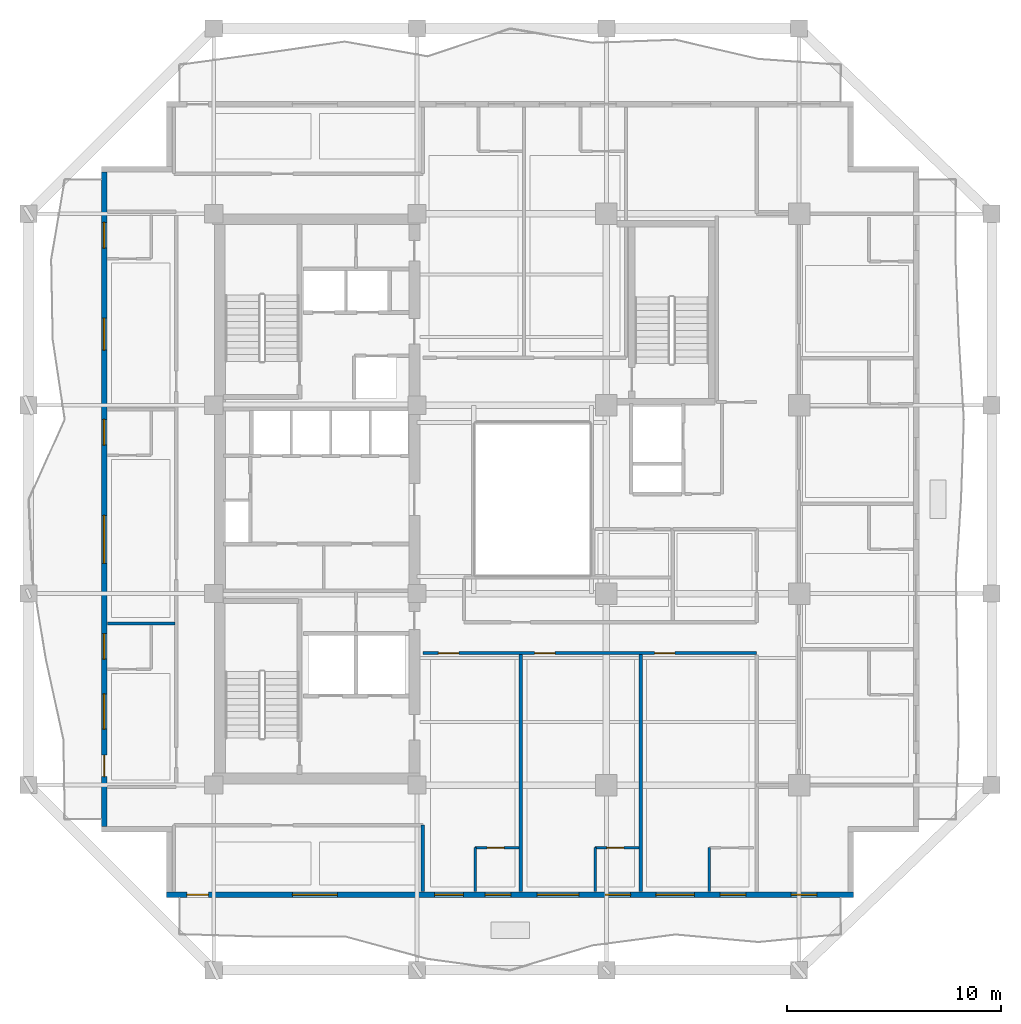
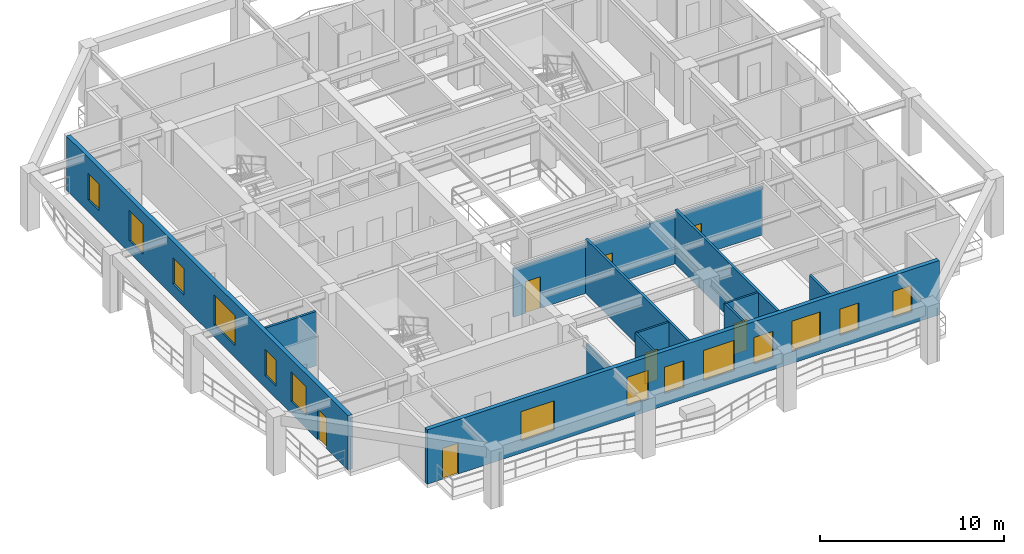
# One storey, part 3 of 11: 14 windows, 12 walls, 7 doors, 21 openings.
"""IFC4 building model written with IfcOpenShell, lengths in metres."""

from ifc_helpers import new_model, si_unit, direction, frame, frame_2d, origin, place, context, subcontext, project, spatial, rectangle, extrude, material, layer, layer_set, type_object, element, fill, save


model = new_model("IFC4")

# Units and contexts
model_context = context("Model", 3, precision=1e-05, world=origin(), true_north=direction((0.0, 1.0)))
body_context = subcontext(model_context, "Body", "Model", "MODEL_VIEW")
ifc_project = project(units=[si_unit("LENGTHUNIT", "METRE"), si_unit("AREAUNIT", "SQUARE_METRE"), si_unit("VOLUMEUNIT", "CUBIC_METRE"), si_unit("PLANEANGLEUNIT", "RADIAN"), si_unit("MASSUNIT", "GRAM", prefix="KILO")], contexts=[model_context])

# Site, building, storey
site_placement = place(None, origin())
site = spatial("IfcSite", under=ifc_project, at=site_placement, CompositionType="ELEMENT")
building_placement = place(site_placement, origin())
building = spatial("IfcBuilding", under=site, at=building_placement, Name="Kundavana Baori Tower", CompositionType="ELEMENT")
storey_placement = place(building_placement, frame((0.0, 0.0, 130.949951171875)))
storey = spatial("IfcBuildingStorey", under=building, at=storey_placement, Name="L31", CompositionType="ELEMENT", Elevation=130.949951171875)

# Wall, openings, door, windows
ifc_material_1 = material(Name="Kiln-Fired Terracotta Brick-Slip Masonry on Concrete C40/50", Category="masonry")
ifc_layer_1 = layer(ifc_material_1, 0.260009765625, Name="WL-EXT-BRK-260")
ifc_layer_set_1 = layer_set([ifc_layer_1], Name="Kiln-Fired Terracotta Brick-Slip Masonry on Concrete C40/50")
wall_type_1 = type_object("IfcWallType", Name="WL-EXT-BRK-260", PredefinedType="SOLIDWALL", material=ifc_layer_set_1)
wall_1_placement = place(storey_placement, frame((13.25, 10.1298828125, 0.0), z_axis=(0.0, 0.0, 1.0), x_axis=(1.0, 0.0, 0.0)))
wall_1 = element("IfcWall", 1, at=wall_1_placement, inside=storey, type_object=wall_type_1, Name="L31 Exterior Insulated Facade Wall 01", PredefinedType="SOLIDWALL", context=body_context, shape_type="SweptSolid", body=[
    extrude(rectangle(XDim=32.10009765625, YDim=0.260009765625, at=frame_2d((16.050048828125, 0.0))), origin(), (0.0, 0.0, 1.0), 3.60009765625),
])
opening_1_placement = place(wall_1_placement, frame((0.949951171875, 0.0, 0.0)))
opening_1 = element("IfcOpeningElement", 2, at=opening_1_placement, cuts=wall_1, Name="Opening BD-1", PredefinedType="OPENING", context=body_context, shape_type="SweptSolid", body=[
    extrude(rectangle(XDim=1.0, YDim=2.050048828125, at=frame_2d((0.5, 1.02490234375))), frame((0.0, 0.14013671875, 0.0), z_axis=(0.0, -1.0, 0.0), x_axis=(1.0, 0.0, 0.0)), (0.0, 0.0, 1.0), 0.280029296875),
])
opening_2_placement = place(wall_1_placement, frame((5.8798828125, 0.0, 0.800048828125)))
opening_2 = element("IfcOpeningElement", 3, at=opening_2_placement, cuts=wall_1, Name="Opening W-05", PredefinedType="OPENING", context=body_context, shape_type="SweptSolid", body=[
    extrude(rectangle(XDim=2.10009765625, YDim=1.949951171875, at=frame_2d((1.050048828125, 0.97509765625))), frame((0.0, 0.14013671875, 0.0), z_axis=(0.0, -1.0, 0.0), x_axis=(1.0, 0.0, 0.0)), (0.0, 0.0, 1.0), 0.280029296875),
])
opening_3_placement = place(wall_1_placement, frame((12.52001953125, 0.0, 0.800048828125)))
opening_3 = element("IfcOpeningElement", 4, at=opening_3_placement, cuts=wall_1, Name="Opening W-07", PredefinedType="OPENING", context=body_context, shape_type="SweptSolid", body=[
    extrude(rectangle(XDim=1.35009765625, YDim=1.89990234375, at=frame_2d((0.675048828125, 0.949951171875))), frame((0.0, 0.14013671875, 0.0), z_axis=(0.0, -1.0, 0.0), x_axis=(1.0, 0.0, 0.0)), (0.0, 0.0, 1.0), 0.280029296875),
])
opening_4_placement = place(wall_1_placement, frame((14.885009765625, 0.0, 0.800048828125)))
opening_4 = element("IfcOpeningElement", 5, at=opening_4_placement, cuts=wall_1, Name="Opening W-03", PredefinedType="OPENING", context=body_context, shape_type="SweptSolid", body=[
    extrude(rectangle(XDim=1.199951171875, YDim=1.75, at=frame_2d((0.60009765625, 0.875))), frame((0.0, 0.14013671875, 0.0), z_axis=(0.0, -1.0, 0.0), x_axis=(1.0, 0.0, 0.0)), (0.0, 0.0, 1.0), 0.280029296875),
])
opening_5_placement = place(wall_1_placement, frame((17.31005859375, 0.0, 0.800048828125)))
opening_5 = element("IfcOpeningElement", 6, at=opening_5_placement, cuts=wall_1, Name="Opening W-09", PredefinedType="OPENING", context=body_context, shape_type="SweptSolid", body=[
    extrude(rectangle(XDim=1.949951171875, YDim=2.0, at=frame_2d((0.97509765625, 1.0))), frame((0.0, 0.14013671875, 0.0), z_axis=(0.0, -1.0, 0.0), x_axis=(1.0, 0.0, 0.0)), (0.0, 0.0, 1.0), 0.280029296875),
])
opening_6_placement = place(wall_1_placement, frame((20.485107421875, 0.0, 0.800048828125)))
opening_6 = element("IfcOpeningElement", 7, at=opening_6_placement, cuts=wall_1, Name="Opening W-03", PredefinedType="OPENING", context=body_context, shape_type="SweptSolid", body=[
    extrude(rectangle(XDim=1.199951171875, YDim=1.75, at=frame_2d((0.60009765625, 0.875))), frame((0.0, 0.14013671875, 0.0), z_axis=(0.0, -1.0, 0.0), x_axis=(1.0, 0.0, 0.0)), (0.0, 0.0, 1.0), 0.280029296875),
])
opening_7_placement = place(wall_1_placement, frame((22.85498046875, 0.0, 0.800048828125)))
opening_7 = element("IfcOpeningElement", 8, at=opening_7_placement, cuts=wall_1, Name="Opening W-01", PredefinedType="OPENING", context=body_context, shape_type="SweptSolid", body=[
    extrude(rectangle(XDim=1.800048828125, YDim=2.0, at=frame_2d((0.89990234375, 1.0))), frame((0.0, 0.14013671875, 0.0), z_axis=(0.0, -1.0, 0.0), x_axis=(1.0, 0.0, 0.0)), (0.0, 0.0, 1.0), 0.280029296875),
])
opening_8_placement = place(wall_1_placement, frame((25.864990234375, 0.0, 0.800048828125)))
opening_8 = element("IfcOpeningElement", 9, at=opening_8_placement, cuts=wall_1, Name="Opening W-03", PredefinedType="OPENING", context=body_context, shape_type="SweptSolid", body=[
    extrude(rectangle(XDim=1.199951171875, YDim=1.75, at=frame_2d((0.60009765625, 0.875))), frame((0.0, 0.14013671875, 0.0), z_axis=(0.0, -1.0, 0.0), x_axis=(1.0, 0.0, 0.0)), (0.0, 0.0, 1.0), 0.280029296875),
])
opening_9_placement = place(wall_1_placement, frame((29.179931640625, 0.0, 0.800048828125)))
opening_9 = element("IfcOpeningElement", 10, at=opening_9_placement, cuts=wall_1, Name="Opening W-03", PredefinedType="OPENING", context=body_context, shape_type="SweptSolid", body=[
    extrude(rectangle(XDim=1.199951171875, YDim=1.75, at=frame_2d((0.60009765625, 0.875))), frame((0.0, 0.14013671875, 0.0), z_axis=(0.0, -1.0, 0.0), x_axis=(1.0, 0.0, 0.0)), (0.0, 0.0, 1.0), 0.280029296875),
])
ifc_material_2 = material(Name="Architectural Patinated Bronze Metalwork")
door_type_1 = type_object("IfcDoorType", Name="DR-EXT-LOG-1000", OperationType="NOTDEFINED", PredefinedType="DOOR", material=ifc_material_2)
door_1_placement = place(opening_1_placement, frame((1.0, 0.0, 0.0), z_axis=(0.0, 0.0, 1.0), x_axis=(-1.0, 0.0, 0.0)))
door_1 = element("IfcDoor", 11, at=door_1_placement, inside=storey, type_object=door_type_1, Name="L31 Loggia Balcony Access Door S", OperationType="SINGLE_SWING_LEFT", OverallHeight=2.050048828125, OverallWidth=1.0, PredefinedType="DOOR", context=body_context, shape_type="SweptSolid", body=[
    extrude(rectangle(XDim=1.0, YDim=2.050048828125, at=frame_2d((0.5, 1.02490234375))), frame((0.0, 0.02490234375, 0.0), z_axis=(0.0, -1.0, 0.0), x_axis=(1.0, 0.0, 0.0)), (0.0, 0.0, 1.0), 0.050048828125),
])
fill(opening_1, door_1)
ifc_material_3 = material(Name="Double-Glazed Solar-Control Low-E Insulated Glass", Category="glass")
window_type_1 = type_object("IfcWindowType", Name="WIN-LOG-1200x1750", PartitioningType="SINGLE_PANEL", PredefinedType="WINDOW", material=ifc_material_3)
window_1_placement = place(opening_4_placement, origin())
window_1 = element("IfcWindow", 12, at=window_1_placement, inside=storey, type_object=window_type_1, Name="L31 Recessed Loggia Window S-3", OverallHeight=1.75, OverallWidth=1.199951171875, PartitioningType="SINGLE_PANEL", PredefinedType="WINDOW", context=body_context, shape_type="SweptSolid", body=[
    extrude(rectangle(XDim=1.199951171875, YDim=1.75, at=frame_2d((0.60009765625, 0.875))), frame((0.0, 0.030029296875, 0.0), z_axis=(0.0, -1.0, 0.0), x_axis=(1.0, 0.0, 0.0)), (0.0, 0.0, 1.0), 0.06005859375),
])
fill(opening_4, window_1)
window_2_placement = place(opening_6_placement, origin())
window_2 = element("IfcWindow", 13, at=window_2_placement, inside=storey, type_object=window_type_1, Name="L31 Recessed Loggia Window S-5", OverallHeight=1.75, OverallWidth=1.199951171875, PartitioningType="SINGLE_PANEL", PredefinedType="WINDOW", context=body_context, shape_type="SweptSolid", body=[
    extrude(rectangle(XDim=1.199951171875, YDim=1.75, at=frame_2d((0.60009765625, 0.875))), frame((0.0, 0.030029296875, 0.0), z_axis=(0.0, -1.0, 0.0), x_axis=(1.0, 0.0, 0.0)), (0.0, 0.0, 1.0), 0.06005859375),
])
fill(opening_6, window_2)
window_3_placement = place(opening_8_placement, origin())
window_3 = element("IfcWindow", 14, at=window_3_placement, inside=storey, type_object=window_type_1, Name="L31 Recessed Loggia Window S-7", OverallHeight=1.75, OverallWidth=1.199951171875, PartitioningType="SINGLE_PANEL", PredefinedType="WINDOW", context=body_context, shape_type="SweptSolid", body=[
    extrude(rectangle(XDim=1.199951171875, YDim=1.75, at=frame_2d((0.60009765625, 0.875))), frame((0.0, 0.030029296875, 0.0), z_axis=(0.0, -1.0, 0.0), x_axis=(1.0, 0.0, 0.0)), (0.0, 0.0, 1.0), 0.06005859375),
])
fill(opening_8, window_3)
window_4_placement = place(opening_9_placement, origin())
window_4 = element("IfcWindow", 15, at=window_4_placement, inside=storey, type_object=window_type_1, Name="L31 Recessed Loggia Window S-8", OverallHeight=1.75, OverallWidth=1.199951171875, PartitioningType="SINGLE_PANEL", PredefinedType="WINDOW", context=body_context, shape_type="SweptSolid", body=[
    extrude(rectangle(XDim=1.199951171875, YDim=1.75, at=frame_2d((0.60009765625, 0.875))), frame((0.0, 0.030029296875, 0.0), z_axis=(0.0, -1.0, 0.0), x_axis=(1.0, 0.0, 0.0)), (0.0, 0.0, 1.0), 0.06005859375),
])
fill(opening_9, window_4)
ifc_material_4 = material(Name="Double-Glazed Solar-Control Low-E Insulated Glass", Category="glass")
window_type_2 = type_object("IfcWindowType", Name="WIN-LOG-1350x1900", PartitioningType="SINGLE_PANEL", PredefinedType="WINDOW", material=ifc_material_4)
window_5_placement = place(opening_3_placement, origin())
window_5 = element("IfcWindow", 16, at=window_5_placement, inside=storey, type_object=window_type_2, Name="L31 Recessed Loggia Window S-2", OverallHeight=1.89990234375, OverallWidth=1.35009765625, PartitioningType="SINGLE_PANEL", PredefinedType="WINDOW", context=body_context, shape_type="SweptSolid", body=[
    extrude(rectangle(XDim=1.35009765625, YDim=1.89990234375, at=frame_2d((0.675048828125, 0.949951171875))), frame((0.0, 0.030029296875, 0.0), z_axis=(0.0, -1.0, 0.0), x_axis=(1.0, 0.0, 0.0)), (0.0, 0.0, 1.0), 0.06005859375),
])
fill(opening_3, window_5)
ifc_material_5 = material(Name="Double-Glazed Solar-Control Low-E Insulated Glass", Category="glass")
window_type_3 = type_object("IfcWindowType", Name="WIN-LOG-1800x2000", PartitioningType="SINGLE_PANEL", PredefinedType="WINDOW", material=ifc_material_5)
window_6_placement = place(opening_7_placement, origin())
window_6 = element("IfcWindow", 17, at=window_6_placement, inside=storey, type_object=window_type_3, Name="L31 Recessed Loggia Window S-6", OverallHeight=2.0, OverallWidth=1.800048828125, PartitioningType="SINGLE_PANEL", PredefinedType="WINDOW", context=body_context, shape_type="SweptSolid", body=[
    extrude(rectangle(XDim=1.800048828125, YDim=2.0, at=frame_2d((0.89990234375, 1.0))), frame((0.0, 0.030029296875, 0.0), z_axis=(0.0, -1.0, 0.0), x_axis=(1.0, 0.0, 0.0)), (0.0, 0.0, 1.0), 0.06005859375),
])
fill(opening_7, window_6)
ifc_material_6 = material(Name="Double-Glazed Solar-Control Low-E Insulated Glass", Category="glass")
window_type_4 = type_object("IfcWindowType", Name="WIN-LOG-1950x2000", PartitioningType="SINGLE_PANEL", PredefinedType="WINDOW", material=ifc_material_6)
window_7_placement = place(opening_5_placement, origin())
window_7 = element("IfcWindow", 18, at=window_7_placement, inside=storey, type_object=window_type_4, Name="L31 Recessed Loggia Window S-4", OverallHeight=2.0, OverallWidth=1.949951171875, PartitioningType="SINGLE_PANEL", PredefinedType="WINDOW", context=body_context, shape_type="SweptSolid", body=[
    extrude(rectangle(XDim=1.949951171875, YDim=2.0, at=frame_2d((0.97509765625, 1.0))), frame((0.0, 0.030029296875, 0.0), z_axis=(0.0, -1.0, 0.0), x_axis=(1.0, 0.0, 0.0)), (0.0, 0.0, 1.0), 0.06005859375),
])
fill(opening_5, window_7)
ifc_material_7 = material(Name="Double-Glazed Solar-Control Low-E Insulated Glass", Category="glass")
window_type_5 = type_object("IfcWindowType", Name="WIN-LOG-2100x1950", PartitioningType="SINGLE_PANEL", PredefinedType="WINDOW", material=ifc_material_7)
window_8_placement = place(opening_2_placement, origin())
window_8 = element("IfcWindow", 19, at=window_8_placement, inside=storey, type_object=window_type_5, Name="L31 Recessed Loggia Window S-1", OverallHeight=1.949951171875, OverallWidth=2.10009765625, PartitioningType="SINGLE_PANEL", PredefinedType="WINDOW", context=body_context, shape_type="SweptSolid", body=[
    extrude(rectangle(XDim=2.10009765625, YDim=1.949951171875, at=frame_2d((1.050048828125, 0.97509765625))), frame((0.0, 0.030029296875, 0.0), z_axis=(0.0, -1.0, 0.0), x_axis=(1.0, 0.0, 0.0)), (0.0, 0.0, 1.0), 0.06005859375),
])
fill(opening_2, window_8)

wall_2_placement = place(storey_placement, frame((10.330078125, 43.889892578125, 0.0), z_axis=(0.0, 0.0, 1.0), x_axis=(0.0, -1.0, 0.0)))
wall_2 = element("IfcWall", 20, at=wall_2_placement, inside=storey, type_object=wall_type_1, Name="L31 Exterior Insulated Facade Wall 10", PredefinedType="SOLIDWALL", context=body_context, shape_type="SweptSolid", body=[
    extrude(rectangle(XDim=30.579833984375, YDim=0.260009765625, at=frame_2d((15.2900390625, 0.0))), origin(), (0.0, 0.0, 1.0), 3.60009765625),
])
opening_10_placement = place(wall_2_placement, frame((27.239990234375, 0.0, 0.0)))
opening_10 = element("IfcOpeningElement", 21, at=opening_10_placement, cuts=wall_2, Name="Opening BD-1", PredefinedType="OPENING", context=body_context, shape_type="SweptSolid", body=[
    extrude(rectangle(XDim=1.0, YDim=2.050048828125, at=frame_2d((0.5, 1.02490234375))), frame((0.0, 0.14013671875, 0.0), z_axis=(0.0, -1.0, 0.0), x_axis=(1.0, 0.0, 0.0)), (0.0, 0.0, 1.0), 0.280029296875),
])
opening_11_placement = place(wall_2_placement, frame((24.375, 0.0, 0.800048828125)))
opening_11 = element("IfcOpeningElement", 22, at=opening_11_placement, cuts=wall_2, Name="Opening W-08", PredefinedType="OPENING", context=body_context, shape_type="SweptSolid", body=[
    extrude(rectangle(XDim=1.64990234375, YDim=1.949951171875, at=frame_2d((0.824951171875, 0.97509765625))), frame((0.0, 0.14013671875, 0.0), z_axis=(0.0, -1.0, 0.0), x_axis=(1.0, 0.0, 0.0)), (0.0, 0.0, 1.0), 0.280029296875),
])
opening_12_placement = place(wall_2_placement, frame((21.554931640625, 0.0, 0.800048828125)))
opening_12 = element("IfcOpeningElement", 23, at=opening_12_placement, cuts=wall_2, Name="Opening W-03", PredefinedType="OPENING", context=body_context, shape_type="SweptSolid", body=[
    extrude(rectangle(XDim=1.199951171875, YDim=1.75, at=frame_2d((0.60009765625, 0.875))), frame((0.0, 0.14013671875, 0.0), z_axis=(0.0, -1.0, 0.0), x_axis=(1.0, 0.0, 0.0)), (0.0, 0.0, 1.0), 0.280029296875),
])
opening_13_placement = place(wall_2_placement, frame((16.030029296875, 0.0, 0.800048828125)))
opening_13 = element("IfcOpeningElement", 24, at=opening_13_placement, cuts=wall_2, Name="Opening W-10", PredefinedType="OPENING", context=body_context, shape_type="SweptSolid", body=[
    extrude(rectangle(XDim=2.25, YDim=2.0, at=frame_2d((1.125, 1.0))), frame((0.0, 0.14013671875, 0.0), z_axis=(0.0, -1.0, 0.0), x_axis=(1.0, 0.0, 0.0)), (0.0, 0.0, 1.0), 0.280029296875),
])
opening_14_placement = place(wall_2_placement, frame((11.554931640625, 0.0, 0.800048828125)))
opening_14 = element("IfcOpeningElement", 25, at=opening_14_placement, cuts=wall_2, Name="Opening W-03", PredefinedType="OPENING", context=body_context, shape_type="SweptSolid", body=[
    extrude(rectangle(XDim=1.199951171875, YDim=1.75, at=frame_2d((0.60009765625, 0.875))), frame((0.0, 0.14013671875, 0.0), z_axis=(0.0, -1.0, 0.0), x_axis=(1.0, 0.0, 0.0)), (0.0, 0.0, 1.0), 0.280029296875),
])
opening_15_placement = place(wall_2_placement, frame((6.81494140625, 0.0, 0.800048828125)))
opening_15 = element("IfcOpeningElement", 26, at=opening_15_placement, cuts=wall_2, Name="Opening W-02", PredefinedType="OPENING", context=body_context, shape_type="SweptSolid", body=[
    extrude(rectangle(XDim=1.5, YDim=2.0, at=frame_2d((0.75, 1.0))), frame((0.0, 0.14013671875, 0.0), z_axis=(0.0, -1.0, 0.0), x_axis=(1.0, 0.0, 0.0)), (0.0, 0.0, 1.0), 0.280029296875),
])
opening_16_placement = place(wall_2_placement, frame((2.344970703125, 0.0, 0.800048828125)))
opening_16 = element("IfcOpeningElement", 27, at=opening_16_placement, cuts=wall_2, Name="Opening W-03", PredefinedType="OPENING", context=body_context, shape_type="SweptSolid", body=[
    extrude(rectangle(XDim=1.199951171875, YDim=1.75, at=frame_2d((0.60009765625, 0.875))), frame((0.0, 0.14013671875, 0.0), z_axis=(0.0, -1.0, 0.0), x_axis=(1.0, 0.0, 0.0)), (0.0, 0.0, 1.0), 0.280029296875),
])
door_2_placement = place(opening_10_placement, frame((1.0, 0.0, 0.0), z_axis=(0.0, 0.0, 1.0), x_axis=(-1.0, 0.0, 0.0)))
door_2 = element("IfcDoor", 28, at=door_2_placement, inside=storey, type_object=door_type_1, Name="L31 Loggia Balcony Access Door W", OperationType="SINGLE_SWING_RIGHT", OverallHeight=2.050048828125, OverallWidth=1.0, PredefinedType="DOOR", context=body_context, shape_type="SweptSolid", body=[
    extrude(rectangle(XDim=1.0, YDim=2.050048828125, at=frame_2d((0.5, 1.02490234375))), frame((0.0, 0.02490234375, 0.0), z_axis=(0.0, -1.0, 0.0), x_axis=(1.0, 0.0, 0.0)), (0.0, 0.0, 1.0), 0.050048828125),
])
fill(opening_10, door_2)
window_9_placement = place(opening_12_placement, origin())
window_9 = element("IfcWindow", 29, at=window_9_placement, inside=storey, type_object=window_type_1, Name="L31 Recessed Loggia Window W-2", OverallHeight=1.75, OverallWidth=1.199951171875, PartitioningType="SINGLE_PANEL", PredefinedType="WINDOW", context=body_context, shape_type="SweptSolid", body=[
    extrude(rectangle(XDim=1.199951171875, YDim=1.75, at=frame_2d((0.60009765625, 0.875))), frame((0.0, 0.030029296875, 0.0), z_axis=(0.0, -1.0, 0.0), x_axis=(1.0, 0.0, 0.0)), (0.0, 0.0, 1.0), 0.06005859375),
])
fill(opening_12, window_9)
window_10_placement = place(opening_14_placement, origin())
window_10 = element("IfcWindow", 30, at=window_10_placement, inside=storey, type_object=window_type_1, Name="L31 Recessed Loggia Window W-4", OverallHeight=1.75, OverallWidth=1.199951171875, PartitioningType="SINGLE_PANEL", PredefinedType="WINDOW", context=body_context, shape_type="SweptSolid", body=[
    extrude(rectangle(XDim=1.199951171875, YDim=1.75, at=frame_2d((0.60009765625, 0.875))), frame((0.0, 0.030029296875, 0.0), z_axis=(0.0, -1.0, 0.0), x_axis=(1.0, 0.0, 0.0)), (0.0, 0.0, 1.0), 0.06005859375),
])
fill(opening_14, window_10)
window_11_placement = place(opening_16_placement, origin())
window_11 = element("IfcWindow", 31, at=window_11_placement, inside=storey, type_object=window_type_1, Name="L31 Recessed Loggia Window W-6", OverallHeight=1.75, OverallWidth=1.199951171875, PartitioningType="SINGLE_PANEL", PredefinedType="WINDOW", context=body_context, shape_type="SweptSolid", body=[
    extrude(rectangle(XDim=1.199951171875, YDim=1.75, at=frame_2d((0.60009765625, 0.875))), frame((0.0, 0.030029296875, 0.0), z_axis=(0.0, -1.0, 0.0), x_axis=(1.0, 0.0, 0.0)), (0.0, 0.0, 1.0), 0.06005859375),
])
fill(opening_16, window_11)
ifc_material_8 = material(Name="Double-Glazed Solar-Control Low-E Insulated Glass", Category="glass")
window_type_6 = type_object("IfcWindowType", Name="WIN-LOG-1500x2000", PartitioningType="SINGLE_PANEL", PredefinedType="WINDOW", material=ifc_material_8)
window_12_placement = place(opening_15_placement, origin())
window_12 = element("IfcWindow", 32, at=window_12_placement, inside=storey, type_object=window_type_6, Name="L31 Recessed Loggia Window W-5", OverallHeight=2.0, OverallWidth=1.5, PartitioningType="SINGLE_PANEL", PredefinedType="WINDOW", context=body_context, shape_type="SweptSolid", body=[
    extrude(rectangle(XDim=1.5, YDim=2.0, at=frame_2d((0.75, 1.0))), frame((0.0, 0.030029296875, 0.0), z_axis=(0.0, -1.0, 0.0), x_axis=(1.0, 0.0, 0.0)), (0.0, 0.0, 1.0), 0.06005859375),
])
fill(opening_15, window_12)
ifc_material_9 = material(Name="Double-Glazed Solar-Control Low-E Insulated Glass", Category="glass")
window_type_7 = type_object("IfcWindowType", Name="WIN-LOG-1650x1950", PartitioningType="SINGLE_PANEL", PredefinedType="WINDOW", material=ifc_material_9)
window_13_placement = place(opening_11_placement, origin())
window_13 = element("IfcWindow", 33, at=window_13_placement, inside=storey, type_object=window_type_7, Name="L31 Recessed Loggia Window W-1", OverallHeight=1.949951171875, OverallWidth=1.64990234375, PartitioningType="SINGLE_PANEL", PredefinedType="WINDOW", context=body_context, shape_type="SweptSolid", body=[
    extrude(rectangle(XDim=1.64990234375, YDim=1.949951171875, at=frame_2d((0.824951171875, 0.97509765625))), frame((0.0, 0.030029296875, 0.0), z_axis=(0.0, -1.0, 0.0), x_axis=(1.0, 0.0, 0.0)), (0.0, 0.0, 1.0), 0.06005859375),
])
fill(opening_11, window_13)
ifc_material_10 = material(Name="Double-Glazed Solar-Control Low-E Insulated Glass", Category="glass")
window_type_8 = type_object("IfcWindowType", Name="WIN-LOG-2250x2000", PartitioningType="SINGLE_PANEL", PredefinedType="WINDOW", material=ifc_material_10)
window_14_placement = place(opening_13_placement, origin())
window_14 = element("IfcWindow", 34, at=window_14_placement, inside=storey, type_object=window_type_8, Name="L31 Recessed Loggia Window W-3", OverallHeight=2.0, OverallWidth=2.25, PartitioningType="SINGLE_PANEL", PredefinedType="WINDOW", context=body_context, shape_type="SweptSolid", body=[
    extrude(rectangle(XDim=2.25, YDim=2.0, at=frame_2d((1.125, 1.0))), frame((0.0, 0.030029296875, 0.0), z_axis=(0.0, -1.0, 0.0), x_axis=(1.0, 0.0, 0.0)), (0.0, 0.0, 1.0), 0.06005859375),
])
fill(opening_13, window_14)

# Wall, openings, doors
ifc_material_11 = material(Name="Fire-Rated Gypsum Drywall on Galvanised Steel Studs", Category="steel")
ifc_layer_2 = layer(ifc_material_11, 0.14990234375, Name="WL-PART-150")
ifc_layer_set_2 = layer_set([ifc_layer_2], Name="Fire-Rated Gypsum Drywall on Galvanised Steel Studs")
wall_type_2 = type_object("IfcWallType", Name="WL-PART-150", PredefinedType="PARTITIONING", material=ifc_layer_set_2)
wall_3_placement = place(storey_placement, frame((25.219970703125, 21.419921875, 0.0), z_axis=(0.0, 0.0, 1.0), x_axis=(1.0, 0.0, 0.0)))
wall_3 = element("IfcWall", 35, at=wall_3_placement, inside=storey, type_object=wall_type_2, Name="WL-L31-HS", PredefinedType="PARTITIONING", context=body_context, shape_type="SweptSolid", body=[
    extrude(rectangle(XDim=15.60009765625, YDim=0.14990234375, at=frame_2d((7.800048828125, 0.0))), origin(), (0.0, 0.0, 1.0), 3.199951171875),
])
opening_17_placement = place(wall_3_placement, frame((0.72998046875, 0.0, 0.0)))
opening_17 = element("IfcOpeningElement", 36, at=opening_17_placement, cuts=wall_3, Name="Opening FD-095", PredefinedType="OPENING", context=body_context, shape_type="SweptSolid", body=[
    extrude(rectangle(XDim=0.949951171875, YDim=2.10009765625, at=frame_2d((0.47509765625, 1.050048828125))), frame((0.0, 0.0849609375, 0.0), z_axis=(0.0, -1.0, 0.0), x_axis=(1.0, 0.0, 0.0)), (0.0, 0.0, 1.0), 0.169921875),
])
opening_18_placement = place(wall_3_placement, frame((5.22998046875, 0.0, 0.0)))
opening_18 = element("IfcOpeningElement", 37, at=opening_18_placement, cuts=wall_3, Name="Opening FD-095", PredefinedType="OPENING", context=body_context, shape_type="SweptSolid", body=[
    extrude(rectangle(XDim=0.949951171875, YDim=2.10009765625, at=frame_2d((0.47509765625, 1.050048828125))), frame((0.0, 0.0849609375, 0.0), z_axis=(0.0, -1.0, 0.0), x_axis=(1.0, 0.0, 0.0)), (0.0, 0.0, 1.0), 0.169921875),
])
opening_19_placement = place(wall_3_placement, frame((10.830078125, 0.0, 0.0)))
opening_19 = element("IfcOpeningElement", 38, at=opening_19_placement, cuts=wall_3, Name="Opening FD-095", PredefinedType="OPENING", context=body_context, shape_type="SweptSolid", body=[
    extrude(rectangle(XDim=0.949951171875, YDim=2.10009765625, at=frame_2d((0.47509765625, 1.050048828125))), frame((0.0, 0.0849609375, 0.0), z_axis=(0.0, -1.0, 0.0), x_axis=(1.0, 0.0, 0.0)), (0.0, 0.0, 1.0), 0.169921875),
])
ifc_material_12 = material(Name="Engineered Teak Fire-Rated Timber Door Leaf", Category="wood")
door_type_2 = type_object("IfcDoorType", Name="DR-FD60-950", OperationType="NOTDEFINED", PredefinedType="DOOR", material=ifc_material_12)
door_3_placement = place(opening_17_placement, frame((0.949951171875, 0.0, 0.0), z_axis=(0.0, 0.0, 1.0), x_axis=(-1.0, 0.0, 0.0)))
door_3 = element("IfcDoor", 39, at=door_3_placement, inside=storey, type_object=door_type_2, Name="DR-L31-HK-S1-ENT", OperationType="SINGLE_SWING_RIGHT", OverallHeight=2.10009765625, OverallWidth=0.949951171875, PredefinedType="DOOR", context=body_context, shape_type="SweptSolid", body=[
    extrude(rectangle(XDim=0.949951171875, YDim=2.10009765625, at=frame_2d((0.47509765625, 1.050048828125))), frame((0.0, 0.02490234375, 0.0), z_axis=(0.0, -1.0, 0.0), x_axis=(1.0, 0.0, 0.0)), (0.0, 0.0, 1.0), 0.050048828125),
])
fill(opening_17, door_3)
door_4_placement = place(opening_18_placement, frame((0.949951171875, 0.0, 0.0), z_axis=(0.0, 0.0, 1.0), x_axis=(-1.0, 0.0, 0.0)))
door_4 = element("IfcDoor", 40, at=door_4_placement, inside=storey, type_object=door_type_2, Name="DR-L31-HK-S2-ENT", OperationType="SINGLE_SWING_RIGHT", OverallHeight=2.10009765625, OverallWidth=0.949951171875, PredefinedType="DOOR", context=body_context, shape_type="SweptSolid", body=[
    extrude(rectangle(XDim=0.949951171875, YDim=2.10009765625, at=frame_2d((0.47509765625, 1.050048828125))), frame((0.0, 0.02490234375, 0.0), z_axis=(0.0, -1.0, 0.0), x_axis=(1.0, 0.0, 0.0)), (0.0, 0.0, 1.0), 0.050048828125),
])
fill(opening_18, door_4)
door_5_placement = place(opening_19_placement, frame((0.949951171875, 0.0, 0.0), z_axis=(0.0, 0.0, 1.0), x_axis=(-1.0, 0.0, 0.0)))
door_5 = element("IfcDoor", 41, at=door_5_placement, inside=storey, type_object=door_type_2, Name="DR-L31-HK-S3-ENT", OperationType="SINGLE_SWING_RIGHT", OverallHeight=2.10009765625, OverallWidth=0.949951171875, PredefinedType="DOOR", context=body_context, shape_type="SweptSolid", body=[
    extrude(rectangle(XDim=0.949951171875, YDim=2.10009765625, at=frame_2d((0.47509765625, 1.050048828125))), frame((0.0, 0.02490234375, 0.0), z_axis=(0.0, -1.0, 0.0), x_axis=(1.0, 0.0, 0.0)), (0.0, 0.0, 1.0), 0.050048828125),
])
fill(opening_19, door_5)

# Walls
wall_4_placement = place(storey_placement, frame((25.219970703125, 10.280029296875, 0.0), z_axis=(0.0, 0.0, 1.0), x_axis=(0.0, 1.0, 0.0)))
element("IfcWall", 42, at=wall_4_placement, inside=storey, type_object=wall_type_2, Name="WL-L31-HSCE", PredefinedType="PARTITIONING", context=body_context, shape_type="SweptSolid", body=[
    extrude(rectangle(XDim=3.099853515625, YDim=0.14990234375, at=frame_2d((1.5498046875, 0.0))), origin(), (0.0, 0.0, 1.0), 3.10009765625),
])
wall_5_placement = place(storey_placement, frame((10.47998046875, 22.800048828125, 0.0), z_axis=(0.0, 0.0, 1.0), x_axis=(1.0, 0.0, 0.0)))
element("IfcWall", 43, at=wall_5_placement, inside=storey, type_object=wall_type_2, Name="WL-L31-HWD1", PredefinedType="PARTITIONING", context=body_context, shape_type="SweptSolid", body=[
    extrude(rectangle(XDim=3.159912109375, YDim=0.14990234375, at=frame_2d((1.580078125, 0.0))), origin(), (0.0, 0.0, 1.0), 3.60009765625),
])
for number, where, z_axis, x_axis, name in (
    (44, (29.800048828125, 10.280029296875, 0.0), (0.0, 0.0, 1.0), (0.0, 1.0, 0.0), "WL-L31-HSD1"),
    (45, (35.39990234375, 10.280029296875, 0.0), (0.0, 0.0, 1.0), (0.0, 1.0, 0.0), "WL-L31-HSD2"),
):
    element("IfcWall", number, at=place(storey_placement, frame(where, z_axis=z_axis, x_axis=x_axis)), inside=storey, type_object=wall_type_2, Name=name, PredefinedType="PARTITIONING", context=body_context, shape_type="SweptSolid", body=[
        extrude(rectangle(XDim=11.080078125, YDim=0.14990234375, at=frame_2d((5.5400390625, 0.0))), origin(), (0.0, 0.0, 1.0), 3.60009765625),
    ])
ifc_material_13 = material(Name="Autoclaved Aerated Concrete Blockwork Masonry", Category="masonry")
ifc_layer_3 = layer(ifc_material_13, 0.125, Name="WL-WET-120")
ifc_layer_set_3 = layer_set([ifc_layer_3], Name="Autoclaved Aerated Concrete Blockwork Masonry")
wall_type_3 = type_object("IfcWallType", Name="WL-WET-120", PredefinedType="PLUMBINGWALL", material=ifc_layer_set_3)
wall_6_placement = place(storey_placement, frame((27.669921875, 10.280029296875, 0.0), z_axis=(0.0, 0.0, 1.0), x_axis=(0.0, 1.0, 0.0)))
element("IfcWall", 46, at=wall_6_placement, inside=storey, type_object=wall_type_3, Name="WL-L31-HK-S1-BW", PredefinedType="PLUMBINGWALL", context=body_context, shape_type="SweptSolid", body=[
    extrude(rectangle(XDim=2.050048828125, YDim=0.125, at=frame_2d((1.02490234375, 0.0))), origin(), (0.0, 0.0, 1.0), 3.60009765625),
])

# Wall, opening, door
wall_7_placement = place(storey_placement, frame((27.669921875, 12.330078125, 0.0), z_axis=(0.0, 0.0, 1.0), x_axis=(1.0, 0.0, 0.0)))
wall_7 = element("IfcWall", 47, at=wall_7_placement, inside=storey, type_object=wall_type_3, Name="WL-L31-HK-S1-BN", PredefinedType="PLUMBINGWALL", context=body_context, shape_type="SweptSolid", body=[
    extrude(rectangle(XDim=2.050048828125, YDim=0.125, at=frame_2d((1.02490234375, 0.0))), origin(), (0.0, 0.0, 1.0), 3.60009765625),
])
opening_20_placement = place(wall_7_placement, frame((0.550048828125, 0.0, 0.0)))
opening_20 = element("IfcOpeningElement", 48, at=opening_20_placement, cuts=wall_7, Name="Opening WD-080", PredefinedType="OPENING", context=body_context, shape_type="SweptSolid", body=[
    extrude(rectangle(XDim=0.800048828125, YDim=2.050048828125, at=frame_2d((0.39990234375, 1.02490234375))), frame((0.0, 0.072509765625, 0.0), z_axis=(0.0, -1.0, 0.0), x_axis=(1.0, 0.0, 0.0)), (0.0, 0.0, 1.0), 0.14501953125),
])
ifc_material_14 = material(Name="Engineered Teak Solid-Core Timber Veneer", Category="wood")
door_type_3 = type_object("IfcDoorType", Name="DR-WET-800", OperationType="NOTDEFINED", PredefinedType="DOOR", material=ifc_material_14)
door_6_placement = place(opening_20_placement, origin())
door_6 = element("IfcDoor", 49, at=door_6_placement, inside=storey, type_object=door_type_3, Name="DR-L31-HK-S1-ENS", OperationType="SINGLE_SWING_LEFT", OverallHeight=2.050048828125, OverallWidth=0.800048828125, PredefinedType="DOOR", context=body_context, shape_type="SweptSolid", body=[
    extrude(rectangle(XDim=0.800048828125, YDim=2.050048828125, at=frame_2d((0.39990234375, 1.02490234375))), frame((0.0, 0.02490234375, 0.0), z_axis=(0.0, -1.0, 0.0), x_axis=(1.0, 0.0, 0.0)), (0.0, 0.0, 1.0), 0.050048828125),
])
fill(opening_20, door_6)

# Wall
wall_8_placement = place(storey_placement, frame((33.27001953125, 10.280029296875, 0.0), z_axis=(0.0, 0.0, 1.0), x_axis=(0.0, 1.0, 0.0)))
element("IfcWall", 50, at=wall_8_placement, inside=storey, type_object=wall_type_3, Name="WL-L31-HK-S2-BW", PredefinedType="PLUMBINGWALL", context=body_context, shape_type="SweptSolid", body=[
    extrude(rectangle(XDim=2.050048828125, YDim=0.125, at=frame_2d((1.02490234375, 0.0))), origin(), (0.0, 0.0, 1.0), 3.60009765625),
])

# Wall, opening, door
wall_9_placement = place(storey_placement, frame((33.27001953125, 12.330078125, 0.0), z_axis=(0.0, 0.0, 1.0), x_axis=(1.0, 0.0, 0.0)))
wall_9 = element("IfcWall", 51, at=wall_9_placement, inside=storey, type_object=wall_type_3, Name="WL-L31-HK-S2-BN", PredefinedType="PLUMBINGWALL", context=body_context, shape_type="SweptSolid", body=[
    extrude(rectangle(XDim=2.050048828125, YDim=0.125, at=frame_2d((1.02490234375, 0.0))), origin(), (0.0, 0.0, 1.0), 3.60009765625),
])
opening_21_placement = place(wall_9_placement, frame((0.550048828125, 0.0, 0.0)))
opening_21 = element("IfcOpeningElement", 52, at=opening_21_placement, cuts=wall_9, Name="Opening WD-080", PredefinedType="OPENING", context=body_context, shape_type="SweptSolid", body=[
    extrude(rectangle(XDim=0.800048828125, YDim=2.050048828125, at=frame_2d((0.39990234375, 1.02490234375))), frame((0.0, 0.072509765625, 0.0), z_axis=(0.0, -1.0, 0.0), x_axis=(1.0, 0.0, 0.0)), (0.0, 0.0, 1.0), 0.14501953125),
])
door_7_placement = place(opening_21_placement, origin())
door_7 = element("IfcDoor", 53, at=door_7_placement, inside=storey, type_object=door_type_3, Name="DR-L31-HK-S2-ENS", OperationType="SINGLE_SWING_LEFT", OverallHeight=2.050048828125, OverallWidth=0.800048828125, PredefinedType="DOOR", context=body_context, shape_type="SweptSolid", body=[
    extrude(rectangle(XDim=0.800048828125, YDim=2.050048828125, at=frame_2d((0.39990234375, 1.02490234375))), frame((0.0, 0.02490234375, 0.0), z_axis=(0.0, -1.0, 0.0), x_axis=(1.0, 0.0, 0.0)), (0.0, 0.0, 1.0), 0.050048828125),
])
fill(opening_21, door_7)

# Wall
wall_10_placement = place(storey_placement, frame((38.610107421875, 10.280029296875, 0.0), z_axis=(0.0, 0.0, 1.0), x_axis=(0.0, 1.0, 0.0)))
element("IfcWall", 54, at=wall_10_placement, inside=storey, type_object=wall_type_3, Name="WL-L31-HK-S3-BW", PredefinedType="PLUMBINGWALL", context=body_context, shape_type="SweptSolid", body=[
    extrude(rectangle(XDim=2.050048828125, YDim=0.125, at=frame_2d((1.02490234375, 0.0))), origin(), (0.0, 0.0, 1.0), 3.60009765625),
])

save(model, "model.ifc")
